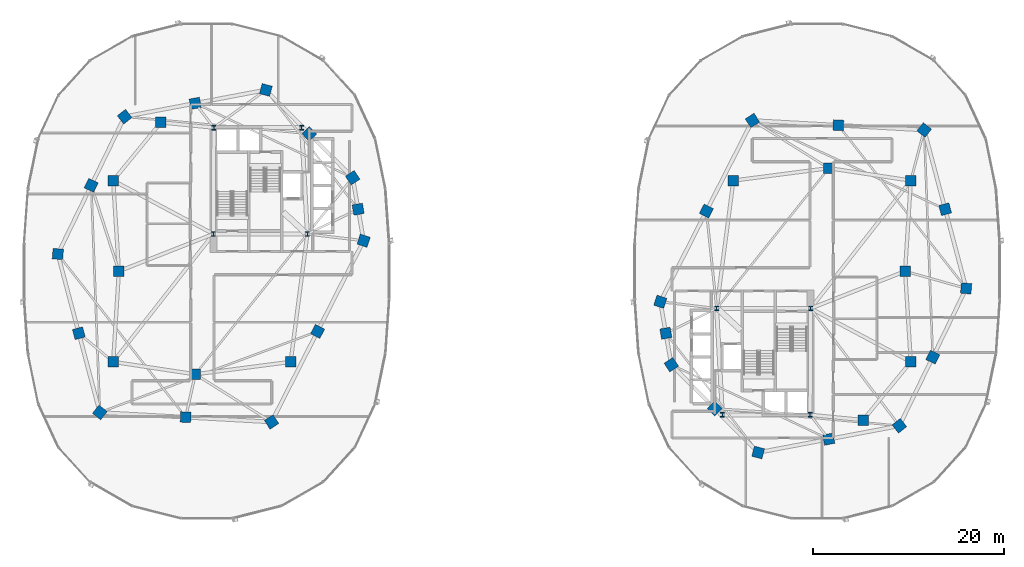
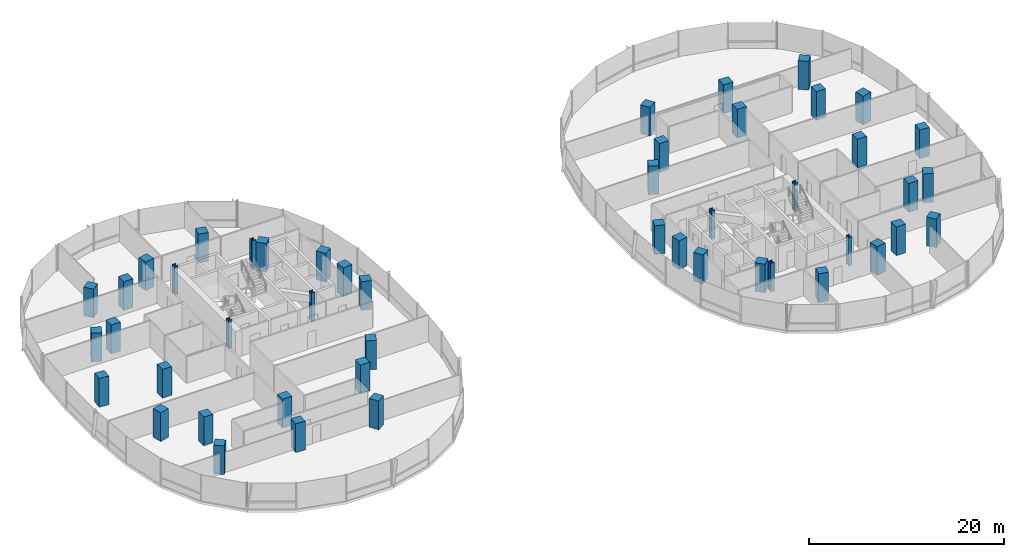
# One storey, part 1 of 21: 48 columns.
"""IFC4 building model written with IfcOpenShell, lengths in metres."""

from ifc_helpers import new_model, si_unit, direction, frame, origin, origin_2d, place, context, subcontext, project, spatial, rectangle, i_section, extrude, material, material_profile, profile_set, type_object, element, save


model = new_model("IFC4")

# Units and contexts
model_context = context("Model", 3, precision=1e-05, world=origin(), true_north=direction((0.0, 1.0)))
body_context = subcontext(model_context, "Body", "Model", "MODEL_VIEW")
ifc_project = project(units=[si_unit("LENGTHUNIT", "METRE"), si_unit("AREAUNIT", "SQUARE_METRE"), si_unit("VOLUMEUNIT", "CUBIC_METRE"), si_unit("PLANEANGLEUNIT", "RADIAN"), si_unit("MASSUNIT", "GRAM", prefix="KILO"), si_unit("THERMODYNAMICTEMPERATUREUNIT", "KELVIN"), si_unit("POWERUNIT", "WATT")], contexts=[model_context])

# Site, building, storey
site_placement = place(None, origin())
site = spatial("IfcSite", under=ifc_project, at=site_placement, CompositionType="ELEMENT")
building_placement = place(site_placement, origin())
building = spatial("IfcBuilding", under=site, at=building_placement, Name="Cundina Bronze Exchange", CompositionType="ELEMENT")
storey_placement = place(building_placement, frame((0.0, 0.0, 117.800048828125)))
storey = spatial("IfcBuildingStorey", under=building, at=storey_placement, Name="L30", CompositionType="ELEMENT", Elevation=117.800048828125)

# Columns
ifc_material_1 = material(Name="Steel ASTM A992 Grade 50", Category="steel")
ifc_material_profile_1 = material_profile(ifc_material_1, i_section(OverallWidth=0.431884765625, OverallDepth=0.498046875, WebThickness=0.0556640625, FlangeThickness=0.0888671875, FilletRadius=0.01806640625, at=origin_2d()), Name="W14X500", Category="steel")
ifc_profile_set_1 = profile_set([ifc_material_profile_1], Name="Steel ASTM A992 Grade 50")
column_type_1 = type_object("IfcColumnType", Name="COL-STL-W14A", PredefinedType="COLUMN", material=ifc_profile_set_1)
for number, where, z_axis, x_axis, name in (
    (1, (-31.300048828125, 3.89990234375, 0.0), (0.0, 0.0, 1.0), (1.0, 0.0, 0.0), "L30 Core Anchor Column W1"),
    (2, (-21.449951171875, 3.89990234375, 0.0), (0.0, 0.0, 1.0), (1.0, 0.0, 0.0), "L30 Core Anchor Column W2"),
    (3, (-22.050048828125, 15.050048828125, 0.0), (0.0, 0.0, 1.0), (1.0, 0.0, 0.0), "L30 Core Anchor Column W3"),
    (4, (-31.25, 15.050048828125, 0.0), (0.0, 0.0, 1.0), (1.0, 0.0, 0.0), "L30 Core Anchor Column W4"),
    (5, (31.300048828125, -3.89990234375, 0.0), (0.0, 0.0, 1.0), (1.0, 0.0, 0.0), "L30 Core Anchor Column E1"),
    (6, (21.449951171875, -3.89990234375, 0.0), (0.0, 0.0, 1.0), (1.0, 0.0, 0.0), "L30 Core Anchor Column E2"),
    (7, (22.050048828125, -15.050048828125, 0.0), (0.0, 0.0, 1.0), (1.0, 0.0, 0.0), "L30 Core Anchor Column E3"),
    (8, (31.25, -15.050048828125, 0.0), (0.0, 0.0, 1.0), (1.0, 0.0, 0.0), "L30 Core Anchor Column E4"),
):
    element("IfcColumn", number, at=place(storey_placement, frame(where, z_axis=z_axis, x_axis=x_axis)), inside=storey, type_object=column_type_1, Name=name, PredefinedType="COLUMN", context=body_context, shape_type="SweptSolid", body=[
        extrude(i_section(OverallWidth=0.431884765625, OverallDepth=0.498046875, WebThickness=0.0556640625, FlangeThickness=0.0888671875, FilletRadius=0.01806640625, at=origin_2d()), origin(), (0.0, 0.0, 1.0), 3.599853515625),
    ])
ifc_material_2 = material(Name="Concrete C60/75", Category="concrete")
ifc_material_profile_2 = material_profile(ifc_material_2, rectangle(XDim=1.10009765625, YDim=1.10009765625, at=origin_2d()), Name="RC1100X1100", Category="concrete")
ifc_profile_set_2 = profile_set([ifc_material_profile_2], Name="Concrete C60/75")
column_type_2 = type_object("IfcColumnType", Name="COL-Z2-1100", PredefinedType="COLUMN", material=ifc_profile_set_2)
for number, where, z_axis, x_axis, name in (
    (9, (-41.199951171875, 0.0, 0.0), (0.0, 0.0, 1.0), (1.0, 0.0, 0.0), "L30 W Inner Ring Column 1"),
    (10, (-41.800048828125, 9.5, 0.0), (0.0, 0.0, 1.0), (1.0, 0.0, 0.0), "L30 W Inner Ring Column 2"),
    (11, (-36.800048828125, 15.60009765625, 0.0), (0.0, 0.0, 1.0), (1.0, 0.0, 0.0), "L30 W Inner Ring Column 3"),
    (12, (-41.800048828125, -9.5, 0.0), (0.0, 0.0, 1.0), (1.0, 0.0, 0.0), "L30 W Inner Ring Column 4"),
    (13, (-33.199951171875, -10.800048828125, 0.0), (0.0, 0.0, 1.0), (1.0, 0.0, 0.0), "L30 W Inner Ring Column 5"),
    (14, (-23.199951171875, -9.5, 0.0), (0.0, 0.0, 1.0), (1.0, 0.0, 0.0), "L30 W Inner Ring Column 6"),
    (15, (41.199951171875, 0.0, 0.0), (0.0, 0.0, 1.0), (1.0, 0.0, 0.0), "L30 E Inner Ring Column 1"),
    (16, (41.800048828125, -9.5, 0.0), (0.0, 0.0, 1.0), (1.0, 0.0, 0.0), "L30 E Inner Ring Column 2"),
    (17, (36.800048828125, -15.60009765625, 0.0), (0.0, 0.0, 1.0), (1.0, 0.0, 0.0), "L30 E Inner Ring Column 3"),
    (18, (41.800048828125, 9.5, 0.0), (0.0, 0.0, 1.0), (1.0, 0.0, 0.0), "L30 E Inner Ring Column 4"),
    (19, (33.199951171875, 10.800048828125, 0.0), (0.0, 0.0, 1.0), (1.0, 0.0, 0.0), "L30 E Inner Ring Column 5"),
    (20, (23.199951171875, 9.5, 0.0), (0.0, 0.0, 1.0), (1.0, 0.0, 0.0), "L30 E Inner Ring Column 6"),
    (21, (-15.550048828125, 3.199951171875, 0.0), (0.0, 0.0, 1.0), (0.315152163383, 0.949041155016, 0.0), "L30 W Perimeter Column 00"),
    (22, (-16.125, 6.5, 0.0), (0.0, 0.0, 1.0), (-0.171585221787, 0.985169280715, 0.0), "L30 W Perimeter Column 01"),
    (23, (-16.699951171875, 9.800048828125, 0.0), (0.0, 0.0, 1.0), (-0.544199833495, 0.838955625301, 0.0), "L30 W Perimeter Column 02"),
    (24, (-21.25, 14.39990234375, 0.0), (0.0, 0.0, 1.0), (-0.703270634186, 0.710922228581, 0.0), "L30 W Perimeter Column 03"),
    (25, (-25.800048828125, 19.0, 0.0), (0.0, 0.0, 1.0), (-0.965970984022, 0.258650455301, 0.0), "L30 W Perimeter Column 04"),
    (26, (-33.199951171875, 17.60009765625, 0.0), (0.0, 0.0, 1.0), (-0.98258037664, -0.185838110843, 0.0), "L30 W Perimeter Column 05"),
    (27, (-40.60009765625, 16.199951171875, 0.0), (0.0, 0.0, 1.0), (-0.785100778485, -0.619368038909, 0.0), "L30 W Perimeter Column 06"),
    (28, (-44.10009765625, 9.0, 0.0), (0.0, 0.0, 1.0), (-0.437115766651, -0.899405251566, 0.0), "L30 W Perimeter Column 07"),
    (29, (-47.60009765625, 1.800048828125, 0.0), (0.0, 0.0, 1.0), (-0.083503921245, -0.996507448611, 0.0), "L30 W Perimeter Column 08"),
    (30, (-45.39990234375, -6.5, 0.0), (0.0, 0.0, 1.0), (0.256289373133, -0.966600102017, 0.0), "L30 W Perimeter Column 09"),
    (31, (-43.199951171875, -14.800048828125, 0.0), (0.0, 0.0, 1.0), (0.786288432137, -0.61785961309, 0.0), "L30 W Perimeter Column 10"),
    (32, (-34.199951171875, -15.300048828125, 0.0), (0.0, 0.0, 1.0), (0.998460188734, -0.055472980025, 0.0), "L30 W Perimeter Column 11"),
    (33, (-25.199951171875, -15.800048828125, 0.0), (0.0, 0.0, 1.0), (0.838099763533, 0.545516989988, 0.0), "L30 W Perimeter Column 12"),
    (34, (-20.375, -6.300048828125, 0.0), (0.0, 0.0, 1.0), (0.452901591366, 0.891560513111, 0.0), "L30 W Perimeter Column 13"),
    (35, (15.550048828125, -3.199951171875, 0.0), (0.0, 0.0, 1.0), (-0.315152163383, -0.949041155016, 0.0), "L30 E Perimeter Column 00"),
    (36, (16.125, -6.5, 0.0), (0.0, 0.0, 1.0), (0.171585221787, -0.985169280715, 0.0), "L30 E Perimeter Column 01"),
    (37, (16.699951171875, -9.800048828125, 0.0), (0.0, 0.0, 1.0), (0.544199833495, -0.838955625301, 0.0), "L30 E Perimeter Column 02"),
    (38, (21.25, -14.39990234375, 0.0), (0.0, 0.0, 1.0), (0.703270634186, -0.710922228581, 0.0), "L30 E Perimeter Column 03"),
    (39, (25.800048828125, -19.0, 0.0), (0.0, 0.0, 1.0), (0.965970984022, -0.258650455301, 0.0), "L30 E Perimeter Column 04"),
    (40, (33.199951171875, -17.60009765625, 0.0), (0.0, 0.0, 1.0), (0.98258037664, 0.185838110843, 0.0), "L30 E Perimeter Column 05"),
    (41, (40.60009765625, -16.199951171875, 0.0), (0.0, 0.0, 1.0), (0.785100778485, 0.619368038909, 0.0), "L30 E Perimeter Column 06"),
    (42, (44.10009765625, -9.0, 0.0), (0.0, 0.0, 1.0), (0.437115766651, 0.899405251566, 0.0), "L30 E Perimeter Column 07"),
    (43, (47.60009765625, -1.800048828125, 0.0), (0.0, 0.0, 1.0), (0.083503921245, 0.996507448611, 0.0), "L30 E Perimeter Column 08"),
    (44, (45.39990234375, 6.5, 0.0), (0.0, 0.0, 1.0), (-0.256289373133, 0.966600102017, 0.0), "L30 E Perimeter Column 09"),
    (45, (43.199951171875, 14.800048828125, 0.0), (0.0, 0.0, 1.0), (-0.786288432137, 0.61785961309, 0.0), "L30 E Perimeter Column 10"),
    (46, (34.199951171875, 15.300048828125, 0.0), (0.0, 0.0, 1.0), (-0.998460188734, 0.055472980025, 0.0), "L30 E Perimeter Column 11"),
    (47, (25.199951171875, 15.800048828125, 0.0), (0.0, 0.0, 1.0), (-0.838099763533, -0.545516989988, 0.0), "L30 E Perimeter Column 12"),
    (48, (20.375, 6.300048828125, 0.0), (0.0, 0.0, 1.0), (-0.452901591366, -0.891560513111, 0.0), "L30 E Perimeter Column 13"),
):
    element("IfcColumn", number, at=place(storey_placement, frame(where, z_axis=z_axis, x_axis=x_axis)), inside=storey, type_object=column_type_2, Name=name, PredefinedType="COLUMN", context=body_context, shape_type="SweptSolid", body=[
        extrude(rectangle(XDim=1.10009765625, YDim=1.10009765625, at=origin_2d()), origin(), (0.0, 0.0, 1.0), 3.599853515625),
    ])

save(model, "model.ifc")
